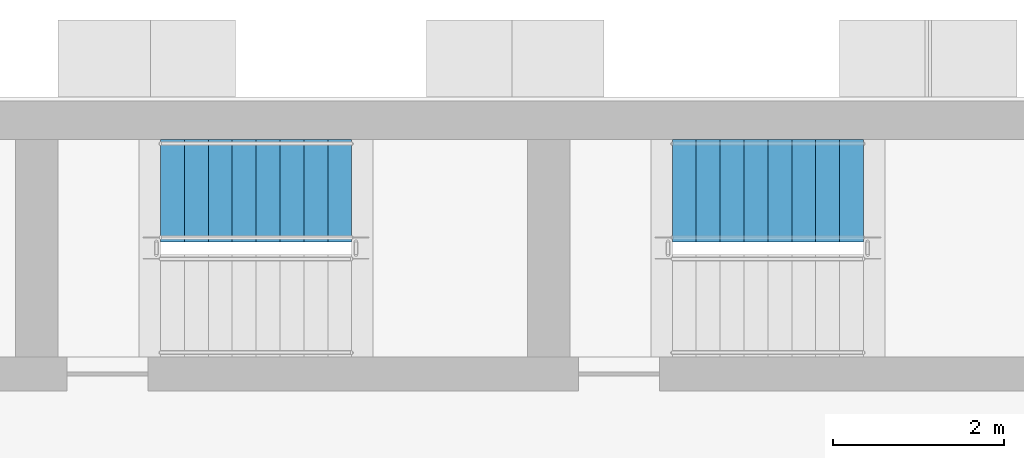
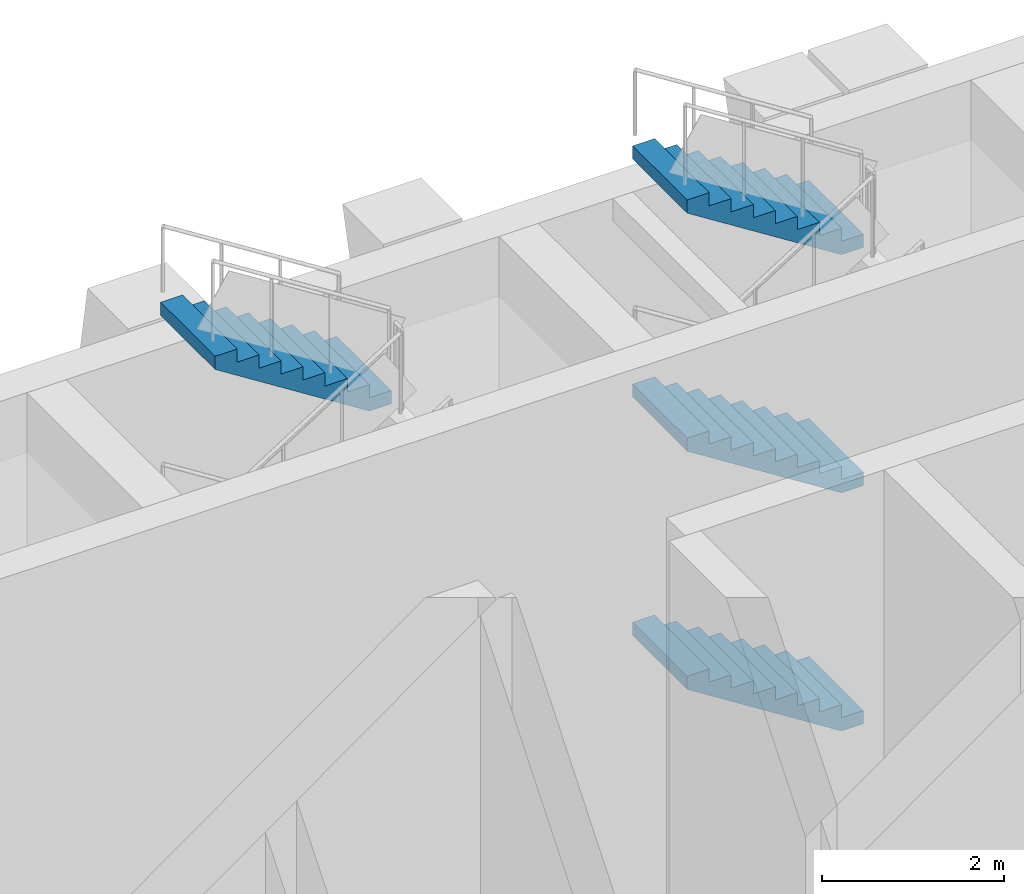
# One storey, part 11 of 16: 4 stair flights, 2 elements without a shape of their own.
"""IFC4 building model written with IfcOpenShell, lengths in metres."""

import ifcopenshell
import ifcopenshell.guid

model = None  # the IFC model being written
_history = None  # IfcOwnerHistory: only IFC2X3 demands one
_inside = {}  # id of a spatial element -> (the spatial element, [elements in it])
_under = {}  # id of a project, library or spatial element -> (it, [spatial elements below it])
_declared = {}  # id of a project -> (the project, [libraries it declares])
_typed = {}  # id of a type object -> (the type object, [elements of that type])
_made_of = {}  # id of a material, layer set ... -> (it, [elements and type objects made of it])


def new_model(schema):
    """Start an empty IFC model of exactly this schema.

    Asked for "IFC4X3", IfcOpenShell would pick the latest addendum, in which some entities
    have other attributes; the version numbers below select the first issue.
    IFC2X3 requires an IfcOwnerHistory on every rooted entity: one is made here for all.
    """
    global model, _history
    if schema == "IFC4X3":
        model = ifcopenshell.file(schema_version=(4, 3, 0, 0))
    else:
        model = ifcopenshell.file(schema=schema)
    _inside.clear()
    _under.clear()
    _declared.clear()
    _typed.clear()
    _made_of.clear()
    _history = None
    if model.schema == "IFC2X3":
        org = make("IfcOrganization", Name="unknown")
        user = make(
            "IfcPersonAndOrganization",
            ThePerson=make("IfcPerson", FamilyName="unknown"),
            TheOrganization=org,
        )
        app = make(
            "IfcApplication",
            ApplicationDeveloper=org,
            Version="unknown",
            ApplicationFullName="unknown",
            ApplicationIdentifier="unknown",
        )
        _history = make(
            "IfcOwnerHistory",
            OwningUser=user,
            OwningApplication=app,
            ChangeAction="ADDED",
            CreationDate=0,
        )
    return model


def make(cls, **values):
    """One entity of the class cls with the attributes given. An attribute that is None is left unset."""
    return model.create_entity(
        cls, **{name: value for name, value in values.items() if value is not None}
    )


def rooted(cls, **values):
    """An entity with a GlobalId (a new one), such as an element, a storey or a relation."""
    return make(cls, GlobalId=ifcopenshell.guid.new(), OwnerHistory=_history, **values)


def si_unit(unit_type, name, prefix=None):
    """IfcSIUnit, for example si_unit("LENGTHUNIT", "METRE", prefix="MILLI")."""
    return make("IfcSIUnit", UnitType=unit_type, Prefix=prefix, Name=name)


def assignment(units):
    """IfcUnitAssignment: the units of a project."""
    return None if units is None else make("IfcUnitAssignment", Units=units)


def point(xyz):
    """IfcCartesianPoint."""
    return None if xyz is None else make("IfcCartesianPoint", Coordinates=xyz)


def direction(xyz):
    """IfcDirection."""
    return None if xyz is None else make("IfcDirection", DirectionRatios=xyz)


def frame(location, z_axis=None, x_axis=None):
    """IfcAxis2Placement3D, a coordinate frame: its origin and axes. An axis left out is left unset."""
    return make(
        "IfcAxis2Placement3D",
        Location=point(location),
        Axis=direction(z_axis),
        RefDirection=direction(x_axis),
    )


def origin():
    """The frame at (0, 0, 0) with its axes left unset."""
    return frame((0.0, 0.0, 0.0))


def place(relative_to, where):
    """IfcLocalPlacement: puts the frame where relative to a parent placement (None: the world)."""
    return make(
        "IfcLocalPlacement", PlacementRelTo=relative_to, RelativePlacement=where
    )


def context(
    kind, dimensions, precision=None, world=None, true_north=None, identifier=None
):
    """IfcGeometricRepresentationContext, for example the 3D "Model" context."""
    return make(
        "IfcGeometricRepresentationContext",
        ContextIdentifier=identifier,
        ContextType=kind,
        CoordinateSpaceDimension=dimensions,
        Precision=precision,
        WorldCoordinateSystem=world,
        TrueNorth=true_north,
    )


def subcontext(parent, identifier, kind, view, scale=None):
    """IfcGeometricRepresentationSubContext, for example "Body" below "Model"."""
    return make(
        "IfcGeometricRepresentationSubContext",
        ContextIdentifier=identifier,
        ContextType=kind,
        ParentContext=parent,
        TargetScale=scale,
        TargetView=view,
    )


def project(units=None, contexts=None):
    """IfcProject with its units and contexts."""
    return rooted(
        "IfcProject",
        Name="project",
        RepresentationContexts=contexts,
        UnitsInContext=assignment(units),
    )


def spatial(cls, under=None, at=None, **own):
    """A site, building, storey or space (cls), placed at a placement, below another one or the project."""
    s = rooted(cls, ObjectPlacement=at, **own)
    if under is not None:
        _under.setdefault(under.id(), (under, []))[1].append(s)
    return s


def polyline(points):
    """IfcPolyline through the points."""
    return make("IfcPolyline", Points=[point(p) for p in points])


def outline(outer, holes=None, kind="AREA"):
    """IfcArbitraryClosedProfileDef: a profile drawn as a closed curve; with holes, ...WithVoids."""
    if holes is None:
        return make("IfcArbitraryClosedProfileDef", ProfileType=kind, OuterCurve=outer)
    return make(
        "IfcArbitraryProfileDefWithVoids",
        ProfileType=kind,
        OuterCurve=outer,
        InnerCurves=holes,
    )


def extrude(swept, where, along, depth):
    """IfcExtrudedAreaSolid: the profile swept, set in the frame where, extruded along a direction by depth."""
    return make(
        "IfcExtrudedAreaSolid",
        SweptArea=swept,
        Position=where,
        ExtrudedDirection=direction(along),
        Depth=depth,
    )


def shape(context_of_items, identifier, shape_type, items):
    """IfcShapeRepresentation: the items that make up one representation, for example the "Body"."""
    return make(
        "IfcShapeRepresentation",
        ContextOfItems=context_of_items,
        RepresentationIdentifier=identifier,
        RepresentationType=shape_type,
        Items=items,
    )


def material(Name=None, Category=None):
    """IfcMaterial."""
    return make("IfcMaterial", Name=Name, Category=Category)


def made_of(thing, what):
    """Note that an element or type object is made of a material, layer set ...; save() writes the relation."""
    if what is not None:
        _made_of.setdefault(what.id(), (what, []))[1].append(thing)
    return thing


def type_object(cls, material=None, **own):
    """A type object (cls), such as IfcWallType, which elements share."""
    return made_of(rooted(cls, **own), material)


def element(
    cls,
    number,
    at=None,
    inside=None,
    cuts=None,
    type_object=None,
    material=None,
    context=None,
    identifier="Body",
    shape_type=None,
    held_by="IfcProductDefinitionShape",
    body=None,
    shapes=None,
    **own,
):
    """One element of the class cls, such as IfcWall. Its Tag is "e" and its number.

    at: its placement. inside: the storey or other place that contains it. cuts: it is an
    opening in that element (IfcRelVoidsElement). A single representation is given by context,
    identifier, shape_type and body (its items); several are given by shapes. held_by: the class
    of the entity that holds the representations. save() writes the other relations.
    """
    e = rooted(cls, Tag="e%d" % number, ObjectPlacement=at, **own)
    if body is not None:
        shapes = [shape(context, identifier, shape_type, body)]
    if shapes is not None:
        e.Representation = make(held_by, Representations=shapes)
    if inside is not None:
        _inside.setdefault(inside.id(), (inside, []))[1].append(e)
    if cuts is not None:
        rooted(
            "IfcRelVoidsElement", RelatingBuildingElement=cuts, RelatedOpeningElement=e
        )
    if type_object is not None:
        _typed.setdefault(type_object.id(), (type_object, []))[1].append(e)
    return made_of(e, material)


def aggregate(whole, parts):
    """IfcRelAggregates: a whole, such as a stair, and the parts it consists of."""
    return rooted("IfcRelAggregates", RelatingObject=whole, RelatedObjects=parts)


def save(model, path):
    """Write the relations noted so far, then the file.

    IfcRelAggregates (storeys below a building ...), IfcRelContainedInSpatialStructure (elements
    in a storey), IfcRelDefinesByType, IfcRelAssociatesMaterial and IfcRelDeclares: one each for
    every whole, place, type object, material and project.
    """
    for whole, parts in _under.values():
        aggregate(whole, parts)
    for where, things in _inside.values():
        rooted(
            "IfcRelContainedInSpatialStructure",
            RelatedElements=things,
            RelatingStructure=where,
        )
    for kind, things in _typed.values():
        rooted("IfcRelDefinesByType", RelatedObjects=things, RelatingType=kind)
    for what, things in _made_of.values():
        rooted("IfcRelAssociatesMaterial", RelatedObjects=things, RelatingMaterial=what)
    for by, libraries in _declared.values():
        rooted("IfcRelDeclares", RelatingContext=by, RelatedDefinitions=libraries)
    model.write(path)


model = new_model("IFC4")

# Units and contexts
model_context = context("Model", 3, precision=1e-05, world=origin(), true_north=direction((0.0, 1.0)))
body_context = subcontext(model_context, "Body", "Model", "MODEL_VIEW")
ifc_project = project(units=[si_unit("LENGTHUNIT", "METRE"), si_unit("AREAUNIT", "SQUARE_METRE"), si_unit("VOLUMEUNIT", "CUBIC_METRE"), si_unit("PLANEANGLEUNIT", "RADIAN"), si_unit("MASSUNIT", "GRAM", prefix="KILO")], contexts=[model_context])

# Site, building, storey
site_placement = place(None, origin())
site = spatial("IfcSite", under=ifc_project, at=site_placement, CompositionType="ELEMENT")
building_placement = place(site_placement, origin())
building = spatial("IfcBuilding", under=site, at=building_placement, Name="Vidyagriha Tower", CompositionType="ELEMENT")
storey_placement = place(building_placement, frame((0.0, 0.0, 151.800048828125)))
storey = spatial("IfcBuildingStorey", under=building, at=storey_placement, Name="L40", CompositionType="ELEMENT", Elevation=151.800048828125)

# Stair, stair flight
ifc_material_1 = material(Name="Concrete C40/50", Category="concrete")
stair_type = type_object("IfcStairType", Name="Exit stair, half-turn, precast flights", PredefinedType="HALF_TURN_STAIR", material=ifc_material_1)
stair_1_placement = place(storey_placement, origin())
stair_1 = element("IfcStair", 1, at=stair_1_placement, inside=storey, type_object=stair_type, Name="L40 Exit Stair ST2", PredefinedType="HALF_TURN_STAIR")
ifc_material_2 = material(Name="Precast concrete C40/50", Category="concrete")
stair_flight_type = type_object("IfcStairFlightType", Name="Exit stair flight 1200 mm, precast", PredefinedType="STRAIGHT", material=ifc_material_2)
stair_flight_1_placement = place(storey_placement, frame((0.239990234375, 18.89990234375, 8.0), z_axis=(0.0, 0.0, 1.0), x_axis=(-1.0, 0.0, 0.0)))
stair_flight_1 = element("IfcStairFlight", 2, at=stair_flight_1_placement, type_object=stair_flight_type, Name="ST2 flight 6", NumberOfRisers=9, NumberOfTreads=8, PredefinedType="STRAIGHT", RiserHeight=0.177777778, TreadLength=0.28, context=body_context, shape_type="SweptSolid", body=[
    extrude(outline(polyline([(0.0, 0.0), (0.0, 0.177734375), (0.280029296875, 0.177734375), (0.280029296875, 0.35546875), (0.56005859375, 0.35546875), (0.56005859375, 0.533447265625), (0.840087890625, 0.533447265625), (0.840087890625, 0.711181640625), (1.1201171875, 0.711181640625), (1.1201171875, 0.888916015625), (1.39990234375, 0.888916015625), (1.39990234375, 1.066650390625), (1.679931640625, 1.066650390625), (1.679931640625, 1.244384765625), (1.9599609375, 1.244384765625), (1.9599609375, 1.422119140625), (2.239990234375, 1.422119140625), (2.239990234375, 1.60009765625), (2.239990234375, 1.24462890625), (0.27978515625, 0.0), (0.0, 0.0)])), frame((0.0, 0.60009765625, 0.0), z_axis=(0.0, -1.0, 0.0), x_axis=(1.0, 0.0, 0.0)), (0.0, 0.0, 1.0), 1.199951171875),
])
aggregate(stair_1, [stair_flight_1])

# Stair, stair flights
stair_2_placement = place(storey_placement, origin())
stair_2 = element("IfcStair", 3, at=stair_2_placement, inside=storey, type_object=stair_type, Name="L40 Exit Stair ST3", PredefinedType="HALF_TURN_STAIR")
stair_flight_2_placement = place(storey_placement, frame((6.239990234375, 18.89990234375, 1.599853515625), z_axis=(0.0, 0.0, 1.0), x_axis=(-1.0, 0.0, 0.0)))
stair_flight_2 = element("IfcStairFlight", 4, at=stair_flight_2_placement, type_object=stair_flight_type, Name="ST3 flight 2", NumberOfRisers=9, NumberOfTreads=8, PredefinedType="STRAIGHT", RiserHeight=0.177777778, TreadLength=0.28, context=body_context, shape_type="SweptSolid", body=[
    extrude(outline(polyline([(0.0, 0.0), (0.0, 0.177734375), (0.280029296875, 0.177734375), (0.280029296875, 0.35546875), (0.56005859375, 0.35546875), (0.56005859375, 0.533447265625), (0.840087890625, 0.533447265625), (0.840087890625, 0.711181640625), (1.1201171875, 0.711181640625), (1.1201171875, 0.888916015625), (1.39990234375, 0.888916015625), (1.39990234375, 1.066650390625), (1.679931640625, 1.066650390625), (1.679931640625, 1.244384765625), (1.9599609375, 1.244384765625), (1.9599609375, 1.422119140625), (2.239990234375, 1.422119140625), (2.239990234375, 1.60009765625), (2.239990234375, 1.24462890625), (0.27978515625, 0.0), (0.0, 0.0)])), frame((0.0, 0.60009765625, 0.0), z_axis=(0.0, -1.0, 0.0), x_axis=(1.0, 0.0, 0.0)), (0.0, 0.0, 1.0), 1.199951171875),
])
stair_flight_3_placement = place(storey_placement, frame((6.239990234375, 18.89990234375, 4.800048828125), z_axis=(0.0, 0.0, 1.0), x_axis=(-1.0, 0.0, 0.0)))
stair_flight_3 = element("IfcStairFlight", 5, at=stair_flight_3_placement, type_object=stair_flight_type, Name="ST3 flight 4", NumberOfRisers=9, NumberOfTreads=8, PredefinedType="STRAIGHT", RiserHeight=0.177777778, TreadLength=0.28, context=body_context, shape_type="SweptSolid", body=[
    extrude(outline(polyline([(0.0, 0.0), (0.0, 0.177734375), (0.280029296875, 0.177734375), (0.280029296875, 0.35546875), (0.56005859375, 0.35546875), (0.56005859375, 0.533447265625), (0.840087890625, 0.533447265625), (0.840087890625, 0.711181640625), (1.1201171875, 0.711181640625), (1.1201171875, 0.888916015625), (1.39990234375, 0.888916015625), (1.39990234375, 1.066650390625), (1.679931640625, 1.066650390625), (1.679931640625, 1.244384765625), (1.9599609375, 1.244384765625), (1.9599609375, 1.422119140625), (2.239990234375, 1.422119140625), (2.239990234375, 1.60009765625), (2.239990234375, 1.24462890625), (0.27978515625, 0.0), (0.0, 0.0)])), frame((0.0, 0.60009765625, 0.0), z_axis=(0.0, -1.0, 0.0), x_axis=(1.0, 0.0, 0.0)), (0.0, 0.0, 1.0), 1.199951171875),
])
stair_flight_4_placement = place(storey_placement, frame((6.239990234375, 18.89990234375, 8.0), z_axis=(0.0, 0.0, 1.0), x_axis=(-1.0, 0.0, 0.0)))
stair_flight_4 = element("IfcStairFlight", 6, at=stair_flight_4_placement, type_object=stair_flight_type, Name="ST3 flight 6", NumberOfRisers=9, NumberOfTreads=8, PredefinedType="STRAIGHT", RiserHeight=0.177777778, TreadLength=0.28, context=body_context, shape_type="SweptSolid", body=[
    extrude(outline(polyline([(0.0, 0.0), (0.0, 0.177734375), (0.280029296875, 0.177734375), (0.280029296875, 0.35546875), (0.56005859375, 0.35546875), (0.56005859375, 0.533447265625), (0.840087890625, 0.533447265625), (0.840087890625, 0.711181640625), (1.1201171875, 0.711181640625), (1.1201171875, 0.888916015625), (1.39990234375, 0.888916015625), (1.39990234375, 1.066650390625), (1.679931640625, 1.066650390625), (1.679931640625, 1.244384765625), (1.9599609375, 1.244384765625), (1.9599609375, 1.422119140625), (2.239990234375, 1.422119140625), (2.239990234375, 1.60009765625), (2.239990234375, 1.24462890625), (0.27978515625, 0.0), (0.0, 0.0)])), frame((0.0, 0.60009765625, 0.0), z_axis=(0.0, -1.0, 0.0), x_axis=(1.0, 0.0, 0.0)), (0.0, 0.0, 1.0), 1.199951171875),
])
aggregate(stair_2, [stair_flight_2, stair_flight_3, stair_flight_4])

save(model, "model.ifc")
